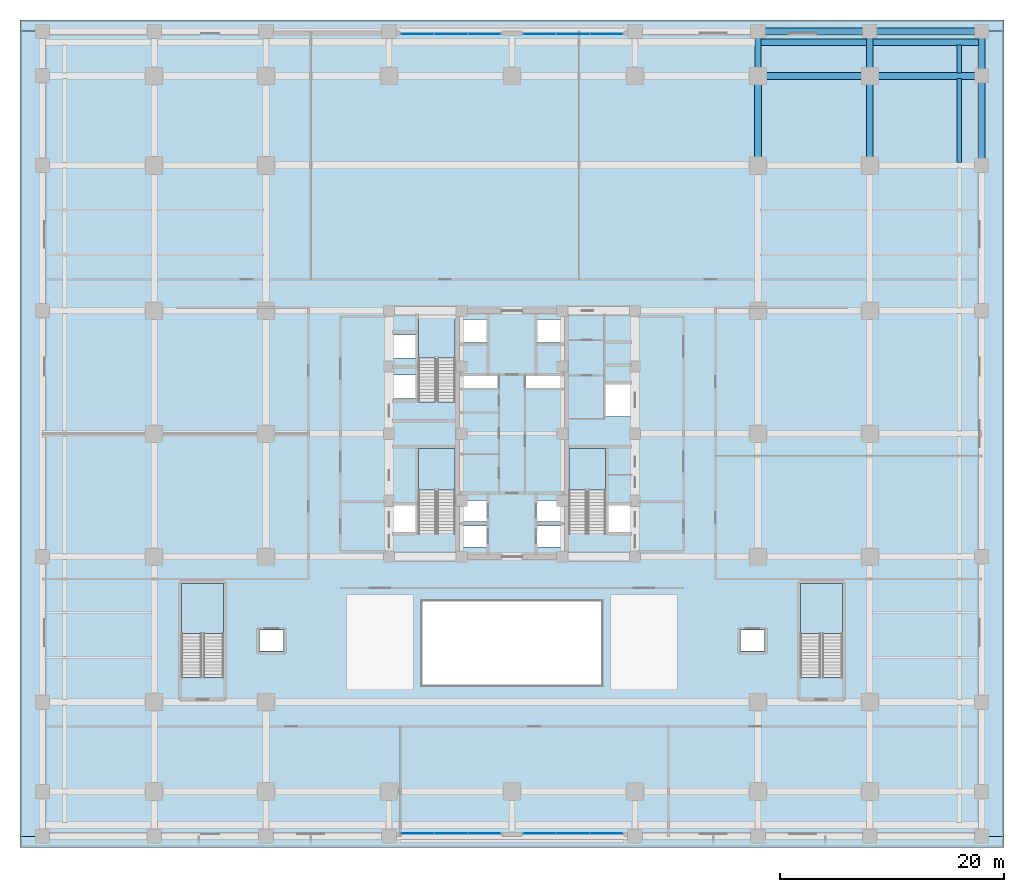
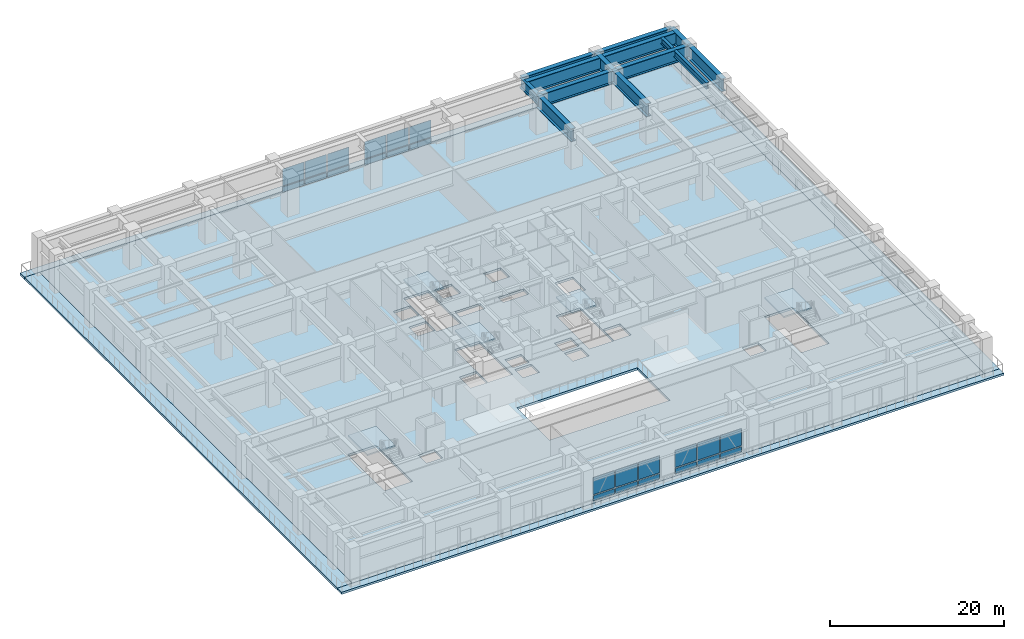
# One storey, part 14 of 28: 24 plates, 14 beams, 10 slabs, 9 elements without a shape of their own.
"""IFC4 building model written with IfcOpenShell, lengths in metres."""

from ifc_helpers import new_model, si_unit, direction, frame, origin, origin_2d, place, context, subcontext, project, spatial, polyline, rectangle, i_section, outline, extrude, source, transform, mapped, material, layer, layer_set, material_profile, profile_set, type_object, element, aggregate, save


model = new_model("IFC4")

# Units and contexts
model_context = context("Model", 3, precision=1e-05, world=origin(), true_north=direction((0.0, 1.0)))
body_context = subcontext(model_context, "Body", "Model", "MODEL_VIEW")
ifc_project = project(units=[si_unit("LENGTHUNIT", "METRE"), si_unit("AREAUNIT", "SQUARE_METRE"), si_unit("VOLUMEUNIT", "CUBIC_METRE"), si_unit("PLANEANGLEUNIT", "RADIAN"), si_unit("MASSUNIT", "GRAM", prefix="KILO")], contexts=[model_context])

# Site, building, storey
site_placement = place(None, origin())
site = spatial("IfcSite", under=ifc_project, at=site_placement, CompositionType="ELEMENT")
building_placement = place(site_placement, origin())
building = spatial("IfcBuilding", under=site, at=building_placement, Name="Khorayat Bourse Tower", CompositionType="ELEMENT")
storey_placement = place(building_placement, frame((0.0, 0.0, 12.0)))
storey = spatial("IfcBuildingStorey", under=building, at=storey_placement, Name="L02", CompositionType="ELEMENT", Elevation=12.0)

# Beams
ifc_material_1 = material(Name="Steel EN 10025-4 S460M", Category="steel")
ifc_material_profile_1 = material_profile(ifc_material_1, i_section(OverallWidth=0.60009765625, OverallDepth=1.800048828125, WebThickness=0.031982421875, FlangeThickness=0.06005859375, at=origin_2d()), Name="PG 1800x600x32x60")
ifc_profile_set_1 = profile_set([ifc_material_profile_1], Name="Steel EN 10025-4 S460M")
beam_type_1 = type_object("IfcBeamType", Name="BM-TR-1800", PredefinedType="BEAM", material=ifc_profile_set_1)
shared_shape_1 = source(origin(), body_context, "Body", "SweptSolid", [
    extrude(i_section(OverallWidth=0.60009765625, OverallDepth=1.800048828125, WebThickness=0.031982421875, FlangeThickness=0.06005859375, at=origin_2d()), origin(), (0.0, 0.0, 1.0), 10.0),
])
for number, where, z_axis, x_axis, name in (
    (1, (22.0, 32.0, 4.179931640625), (1.0, 0.0, 0.0), (0.0, 1.0, 0.0), "L02 BM-TR-1800 BM-L02-PGX-084"),
    (2, (32.0, 32.0, 4.179931640625), (1.0, 0.0, 0.0), (0.0, 1.0, 0.0), "L02 BM-TR-1800 BM-L02-PGX-085"),
    (3, (22.0, 35.0, 4.179931640625), (1.0, 0.0, 0.0), (0.0, 1.0, 0.0), "L02 BM-TR-1800 BM-L02-PGX-089"),
    (4, (32.0, 35.0, 4.179931640625), (1.0, 0.0, 0.0), (0.0, 1.0, 0.0), "L02 BM-TR-1800 BM-L02-PGX-090"),
    (5, (22.0, 36.0, 4.179931640625), (1.0, 0.0, 0.0), (0.0, 1.0, 0.0), "L02 BM-TR-1800 BM-L02-PGX-096"),
    (6, (32.0, 36.0, 4.179931640625), (1.0, 0.0, 0.0), (0.0, 1.0, 0.0), "L02 BM-TR-1800 BM-L02-PGX-097"),
):
    element("IfcBeam", number, at=place(storey_placement, frame(where, z_axis=z_axis, x_axis=x_axis)), inside=storey, type_object=beam_type_1, Name=name, PredefinedType="BEAM", context=body_context, shape_type="MappedRepresentation", body=[
        mapped(shared_shape_1, transform((0.0, 0.0, 0.0), scale=1.0)),
    ])
shared_shape_2 = source(origin(), body_context, "Body", "SweptSolid", [
    extrude(i_section(OverallWidth=0.60009765625, OverallDepth=1.800048828125, WebThickness=0.031982421875, FlangeThickness=0.06005859375, at=origin_2d()), origin(), (0.0, 0.0, 1.0), 8.0),
])
for number, where, z_axis, x_axis, name in (
    (7, (22.0, 24.0, 4.179931640625), (0.0, 1.0, 0.0), (-1.0, 0.0, 0.0), "L02 BM-TR-1800 BM-L02-PGY-142"),
    (8, (32.0, 24.0, 4.179931640625), (0.0, 1.0, 0.0), (-1.0, 0.0, 0.0), "L02 BM-TR-1800 BM-L02-PGY-150"),
    (9, (42.0, 24.0, 4.179931640625), (0.0, 1.0, 0.0), (-1.0, 0.0, 0.0), "L02 BM-TR-1800 BM-L02-PGY-165"),
):
    element("IfcBeam", number, at=place(storey_placement, frame(where, z_axis=z_axis, x_axis=x_axis)), inside=storey, type_object=beam_type_1, Name=name, PredefinedType="BEAM", context=body_context, shape_type="MappedRepresentation", body=[
        mapped(shared_shape_2, transform((0.0, 0.0, 0.0), scale=1.0)),
    ])
ifc_material_2 = material(Name="Steel ASTM A992 Grade 50", Category="steel")
ifc_material_profile_2 = material_profile(ifc_material_2, i_section(OverallWidth=0.39990234375, OverallDepth=0.85498046875, WebThickness=0.018310546875, FlangeThickness=0.029296875, FilletRadius=0.02001953125, at=origin_2d()), Name="W840X299")
ifc_profile_set_2 = profile_set([ifc_material_profile_2], Name="Steel ASTM A992 Grade 50")
beam_type_2 = type_object("IfcBeamType", Name="BM-GIRD-840", PredefinedType="BEAM", material=ifc_profile_set_2)
shared_shape_3 = source(origin(), body_context, "Body", "SweptSolid", [
    extrude(i_section(OverallWidth=0.39990234375, OverallDepth=0.85498046875, WebThickness=0.018310546875, FlangeThickness=0.029296875, FilletRadius=0.02001953125, at=origin_2d()), origin(), (0.0, 0.0, 1.0), 7.52001953125),
])
beam_1_placement = place(storey_placement, frame((40.0, 24.239990234375, 4.652587890625), z_axis=(0.0, 1.0, 0.0), x_axis=(-1.0, 0.0, 0.0)))
element("IfcBeam", 10, at=beam_1_placement, inside=storey, type_object=beam_type_2, Name="L02 BM-GIRD-840 BM-L02-PGY-158", PredefinedType="BEAM", context=body_context, shape_type="MappedRepresentation", body=[
    mapped(shared_shape_3, transform((0.0, 0.0, 0.0), scale=1.0)),
])
shared_shape_4 = source(origin(), body_context, "Body", "SweptSolid", [
    extrude(i_section(OverallWidth=0.60009765625, OverallDepth=1.800048828125, WebThickness=0.031982421875, FlangeThickness=0.06005859375, at=origin_2d()), origin(), (0.0, 0.0, 1.0), 4.0),
])
for number, where, z_axis, x_axis, name in (
    (11, (32.0, 32.0, 4.179931640625), (0.0, 1.0, 0.0), (-1.0, 0.0, 0.0), "L02 BM-TR-1800 BM-L02-PGY-151"),
    (12, (42.0, 32.0, 4.179931640625), (0.0, 1.0, 0.0), (-1.0, 0.0, 0.0), "L02 BM-TR-1800 BM-L02-PGY-166"),
):
    element("IfcBeam", number, at=place(storey_placement, frame(where, z_axis=z_axis, x_axis=x_axis)), inside=storey, type_object=beam_type_1, Name=name, PredefinedType="BEAM", context=body_context, shape_type="MappedRepresentation", body=[
        mapped(shared_shape_4, transform((0.0, 0.0, 0.0), scale=1.0)),
    ])
shared_shape_5 = source(origin(), body_context, "Body", "SweptSolid", [
    extrude(i_section(OverallWidth=0.39990234375, OverallDepth=0.85498046875, WebThickness=0.018310546875, FlangeThickness=0.029296875, FilletRadius=0.02001953125, at=origin_2d()), origin(), (0.0, 0.0, 1.0), 2.52001953125),
])
beam_2_placement = place(storey_placement, frame((40.0, 32.239990234375, 4.652587890625), z_axis=(0.0, 1.0, 0.0), x_axis=(-1.0, 0.0, 0.0)))
element("IfcBeam", 13, at=beam_2_placement, inside=storey, type_object=beam_type_2, Name="L02 BM-GIRD-840 BM-L02-PGY-159", PredefinedType="BEAM", context=body_context, shape_type="MappedRepresentation", body=[
    mapped(shared_shape_5, transform((0.0, 0.0, 0.0), scale=1.0)),
])
ifc_material_profile_3 = material_profile(ifc_material_1, i_section(OverallWidth=0.5, OverallDepth=1.39990234375, WebThickness=0.02490234375, FlangeThickness=0.050048828125, at=origin_2d()), Name="PG 1400x500x25x50")
ifc_profile_set_3 = profile_set([ifc_material_profile_3], Name="Steel EN 10025-4 S460M")
beam_type_3 = type_object("IfcBeamType", Name="BM-TR-1400", PredefinedType="BEAM", material=ifc_profile_set_3)
shared_shape_6 = source(origin(), body_context, "Body", "SweptSolid", [
    extrude(i_section(OverallWidth=0.5, OverallDepth=1.39990234375, WebThickness=0.02490234375, FlangeThickness=0.050048828125, at=origin_2d()), origin(), (0.0, 0.0, 1.0), 4.0),
])
beam_3_placement = place(storey_placement, frame((22.0, 32.0, 4.3798828125), z_axis=(0.0, 1.0, 0.0), x_axis=(-1.0, 0.0, 0.0)))
element("IfcBeam", 14, at=beam_3_placement, inside=storey, type_object=beam_type_3, Name="L02 BM-TR-1400 BM-L02-PGY-143", PredefinedType="BEAM", context=body_context, shape_type="MappedRepresentation", body=[
    mapped(shared_shape_6, transform((0.0, 0.0, 0.0), scale=1.0)),
])

# Stair, slab
ifc_material_3 = material(Name="Concrete C40/50", Category="concrete")
stair_type_1 = type_object("IfcStairType", Name="STR-CORE-1550", PredefinedType="HALF_TURN_STAIR", material=ifc_material_3)
stair_1_placement = place(storey_placement, origin())
stair_1 = element("IfcStair", 15, at=stair_1_placement, inside=storey, type_object=stair_type_1, Name="L02 Exit Stair ST-1", PredefinedType="HALF_TURN_STAIR")
ifc_layer_1 = layer(ifc_material_3, 0.199951171875)
ifc_layer_set_1 = layer_set([ifc_layer_1], Name="Concrete C40/50")
slab_type_1 = type_object("IfcSlabType", Name="SLB-LANDING-200", PredefinedType="LANDING", material=ifc_layer_set_1)
slab_1_placement = place(storey_placement, frame((0.0, 0.0, 2.5)))
slab_1 = element("IfcSlab", 16, at=slab_1_placement, type_object=slab_type_1, Name="ST-1 landing 1", PredefinedType="LANDING", context=body_context, shape_type="SweptSolid", body=[
    extrude(outline(polyline([(-5.10009765625, -5.030029296875), (-5.10009765625, -1.300048828125), (-8.35009765625, -1.300048828125), (-8.35009765625, -5.030029296875), (-5.10009765625, -5.030029296875)])), origin(), (0.0, 0.0, 1.0), 0.199951171875),
])
aggregate(stair_1, [slab_1])

stair_2_placement = place(storey_placement, origin())
stair_2 = element("IfcStair", 17, at=stair_2_placement, inside=storey, type_object=stair_type_1, Name="L02 Exit Stair ST-2", PredefinedType="HALF_TURN_STAIR")
slab_2_placement = place(storey_placement, frame((0.0, 0.0, 2.5)))
slab_2 = element("IfcSlab", 18, at=slab_2_placement, type_object=slab_type_1, Name="ST-2 landing 1", PredefinedType="LANDING", context=body_context, shape_type="SweptSolid", body=[
    extrude(outline(polyline([(-5.10009765625, 6.77001953125), (-5.10009765625, 10.5), (-8.35009765625, 10.5), (-8.35009765625, 6.77001953125), (-5.10009765625, 6.77001953125)])), origin(), (0.0, 0.0, 1.0), 0.199951171875),
])
aggregate(stair_2, [slab_2])

stair_3_placement = place(storey_placement, origin())
stair_3 = element("IfcStair", 19, at=stair_3_placement, inside=storey, type_object=stair_type_1, Name="L02 Exit Stair ST-3", PredefinedType="HALF_TURN_STAIR")
slab_3_placement = place(storey_placement, frame((0.0, 0.0, 2.5)))
slab_3 = element("IfcSlab", 20, at=slab_3_placement, type_object=slab_type_1, Name="ST-3 landing 1", PredefinedType="LANDING", context=body_context, shape_type="SweptSolid", body=[
    extrude(outline(polyline([(8.35009765625, -5.030029296875), (8.35009765625, -1.300048828125), (5.10009765625, -1.300048828125), (5.10009765625, -5.030029296875), (8.35009765625, -5.030029296875)])), origin(), (0.0, 0.0, 1.0), 0.199951171875),
])
aggregate(stair_3, [slab_3])

stair_type_2 = type_object("IfcStairType", Name="STR-POD-1800", PredefinedType="HALF_TURN_STAIR", material=ifc_material_3)
stair_4_placement = place(storey_placement, origin())
stair_4 = element("IfcStair", 21, at=stair_4_placement, inside=storey, type_object=stair_type_2, Name="L02 Exit Stair ST-P1", PredefinedType="HALF_TURN_STAIR")
slab_4_placement = place(storey_placement, frame((0.0, 0.0, 2.5)))
slab_4 = element("IfcSlab", 22, at=slab_4_placement, type_object=slab_type_1, Name="ST-P1 landing 1", PredefinedType="LANDING", context=body_context, shape_type="SweptSolid", body=[
    extrude(outline(polyline([(-25.800048828125, -17.8798828125), (-25.800048828125, -13.39990234375), (-29.550048828125, -13.39990234375), (-29.550048828125, -17.8798828125), (-25.800048828125, -17.8798828125)])), origin(), (0.0, 0.0, 1.0), 0.199951171875),
])
aggregate(stair_4, [slab_4])

stair_5_placement = place(storey_placement, origin())
stair_5 = element("IfcStair", 23, at=stair_5_placement, inside=storey, type_object=stair_type_2, Name="L02 Exit Stair ST-P2", PredefinedType="HALF_TURN_STAIR")
slab_5_placement = place(storey_placement, frame((0.0, 0.0, 2.5)))
slab_5 = element("IfcSlab", 24, at=slab_5_placement, type_object=slab_type_1, Name="ST-P2 landing 1", PredefinedType="LANDING", context=body_context, shape_type="SweptSolid", body=[
    extrude(outline(polyline([(29.550048828125, -17.8798828125), (29.550048828125, -13.39990234375), (25.800048828125, -13.39990234375), (25.800048828125, -17.8798828125), (29.550048828125, -17.8798828125)])), origin(), (0.0, 0.0, 1.0), 0.199951171875),
])
aggregate(stair_5, [slab_5])

# Slabs
ifc_layer_2 = layer(ifc_material_3, 0.320068359375)
ifc_layer_set_2 = layer_set([ifc_layer_2], Name="Concrete C40/50")
slab_type_2 = type_object("IfcSlabType", Name="SLB-POD-320", PredefinedType="FLOOR", material=ifc_layer_set_2)
slab_6_placement = place(storey_placement, frame((0.0, 0.0, -0.320068359375)))
element("IfcSlab", 25, at=slab_6_placement, inside=storey, type_object=slab_type_2, Name="L02 Main Floor Slab", PredefinedType="FLOOR", context=body_context, shape_type="SweptSolid", body=[
    extrude(outline(polyline([(-42.0, -36.0), (42.0, -36.0), (42.0, 36.0), (-42.0, 36.0), (-42.0, -36.0)]), holes=[polyline([(-8.35009765625, -8.945068359375), (-5.10009765625, -8.945068359375), (-5.10009765625, -1.300048828125), (-8.35009765625, -1.300048828125), (-8.35009765625, -8.945068359375)]), polyline([(-8.35009765625, 2.85498046875), (-5.10009765625, 2.85498046875), (-5.10009765625, 10.5), (-8.35009765625, 10.5), (-8.35009765625, 2.85498046875)]), polyline([(5.10009765625, -8.945068359375), (8.35009765625, -8.945068359375), (8.35009765625, -1.300048828125), (5.10009765625, -1.300048828125), (5.10009765625, -8.945068359375)]), polyline([(-29.550048828125, -21.794921875), (-25.800048828125, -21.794921875), (-25.800048828125, -13.39990234375), (-29.550048828125, -13.39990234375), (-29.550048828125, -21.794921875)]), polyline([(25.800048828125, -21.794921875), (29.550048828125, -21.794921875), (29.550048828125, -13.39990234375), (25.800048828125, -13.39990234375), (25.800048828125, -21.794921875)]), polyline([(-4.3798828125, -10.1298828125), (-2.219970703125, -10.1298828125), (-2.219970703125, -8.27001953125), (-4.3798828125, -8.27001953125), (-4.3798828125, -10.1298828125)]), polyline([(2.219970703125, -10.1298828125), (4.3798828125, -10.1298828125), (4.3798828125, -8.27001953125), (2.219970703125, -8.27001953125), (2.219970703125, -10.1298828125)]), polyline([(-4.3798828125, -7.830078125), (-2.219970703125, -7.830078125), (-2.219970703125, -5.969970703125), (-4.3798828125, -5.969970703125), (-4.3798828125, -7.830078125)]), polyline([(2.219970703125, -7.830078125), (4.3798828125, -7.830078125), (4.3798828125, -5.969970703125), (2.219970703125, -5.969970703125), (2.219970703125, -7.830078125)]), polyline([(-4.3798828125, 8.169921875), (-2.1201171875, 8.169921875), (-2.1201171875, 10.22998046875), (-4.3798828125, 10.22998046875), (-4.3798828125, 8.169921875)]), polyline([(2.1201171875, 8.169921875), (4.3798828125, 8.169921875), (4.3798828125, 10.22998046875), (2.1201171875, 10.22998046875), (2.1201171875, 8.169921875)]), polyline([(-10.679931640625, 3.169921875), (-8.419921875, 3.169921875), (-8.419921875, 5.22998046875), (-10.679931640625, 5.22998046875), (-10.679931640625, 3.169921875)]), polyline([(-10.679931640625, 6.77001953125), (-8.419921875, 6.77001953125), (-8.419921875, 8.830078125), (-10.679931640625, 8.830078125), (-10.679931640625, 6.77001953125)]), polyline([(-22.580078125, -19.429931640625), (-20.419921875, -19.429931640625), (-20.419921875, -17.570068359375), (-22.580078125, -17.570068359375), (-22.580078125, -19.429931640625)]), polyline([(20.419921875, -19.429931640625), (22.580078125, -19.429931640625), (22.580078125, -17.570068359375), (20.419921875, -17.570068359375), (20.419921875, -19.429931640625)]), polyline([(-10.679931640625, -8.929931640625), (-8.419921875, -8.929931640625), (-8.419921875, -6.3701171875), (-10.679931640625, -6.3701171875), (-10.679931640625, -8.929931640625)]), polyline([(8.419921875, -8.929931640625), (10.679931640625, -8.929931640625), (10.679931640625, -6.3701171875), (8.419921875, -6.3701171875), (8.419921875, -8.929931640625)]), polyline([(8.320068359375, 1.52001953125), (10.679931640625, 1.52001953125), (10.679931640625, 4.47998046875), (8.320068359375, 4.47998046875), (8.320068359375, 1.52001953125)]), polyline([(-4.56005859375, 4.080078125), (-1.18994140625, 4.080078125), (-1.18994140625, 5.219970703125), (-4.56005859375, 5.219970703125), (-4.56005859375, 4.080078125)]), polyline([(1.18994140625, 4.080078125), (4.56005859375, 4.080078125), (4.56005859375, 5.219970703125), (1.18994140625, 5.219970703125), (1.18994140625, 4.080078125)]), polyline([(-8.0, -22.5), (8.0, -22.5), (8.0, -15.0), (-8.0, -15.0), (-8.0, -22.5)])]), origin(), (0.0, 0.0, 1.0), 0.320068359375),
])
ifc_layer_3 = layer(ifc_material_3, 0.300048828125)
ifc_layer_set_3 = layer_set([ifc_layer_3], Name="Concrete C40/50")
slab_type_3 = type_object("IfcSlabType", Name="SLB-TERR-300", PredefinedType="FLOOR", material=ifc_layer_set_3)
slab_7_placement = place(storey_placement, frame((0.0, 0.0, -0.300048828125)))
element("IfcSlab", 26, at=slab_7_placement, inside=storey, type_object=slab_type_3, Name="L02 Planted Garden Terrace Slab 01", PredefinedType="FLOOR", context=body_context, shape_type="SweptSolid", body=[
    extrude(outline(polyline([(-44.0, 36.0), (44.0, 36.0), (44.0, 37.0), (-44.0, 37.0), (-44.0, 36.0)])), origin(), (0.0, 0.0, 1.0), 0.300048828125),
])
slab_8_placement = place(storey_placement, frame((0.0, 0.0, -0.300048828125)))
element("IfcSlab", 27, at=slab_8_placement, inside=storey, type_object=slab_type_3, Name="L02 Planted Garden Terrace Slab 02", PredefinedType="FLOOR", context=body_context, shape_type="SweptSolid", body=[
    extrude(outline(polyline([(-44.0, -37.0), (44.0, -37.0), (44.0, -36.0), (-44.0, -36.0), (-44.0, -37.0)])), origin(), (0.0, 0.0, 1.0), 0.300048828125),
])
slab_9_placement = place(storey_placement, frame((0.0, 0.0, -0.300048828125)))
element("IfcSlab", 28, at=slab_9_placement, inside=storey, type_object=slab_type_3, Name="L02 Planted Garden Terrace Slab 03", PredefinedType="FLOOR", context=body_context, shape_type="SweptSolid", body=[
    extrude(outline(polyline([(-44.0, -36.0), (-42.0, -36.0), (-42.0, 36.0), (-44.0, 36.0), (-44.0, -36.0)])), origin(), (0.0, 0.0, 1.0), 0.300048828125),
])
slab_10_placement = place(storey_placement, frame((0.0, 0.0, -0.300048828125)))
element("IfcSlab", 29, at=slab_10_placement, inside=storey, type_object=slab_type_3, Name="L02 Planted Garden Terrace Slab 04", PredefinedType="FLOOR", context=body_context, shape_type="SweptSolid", body=[
    extrude(outline(polyline([(42.0, -36.0), (44.0, -36.0), (44.0, 36.0), (42.0, 36.0), (42.0, -36.0)])), origin(), (0.0, 0.0, 1.0), 0.300048828125),
])

# Curtain wall, plates
ifc_material_4 = material(Name="Aluminium EN AW-6063 T6", Category="aluminium")
curtain_wall_type = type_object("IfcCurtainWallType", Name="CW-SYS-01", PredefinedType="NOTDEFINED", material=ifc_material_4)
curtain_wall_1_placement = place(storey_placement, origin())
curtain_wall_1 = element("IfcCurtainWall", 30, at=curtain_wall_1_placement, inside=storey, type_object=curtain_wall_type, Name="L02 Curtain Wall CW-L02-SW", PredefinedType="NOTDEFINED")
ifc_material_5 = material(Name="Honed desert limestone insulated spandrel", Category="masonry")
ifc_layer_4 = layer(ifc_material_5, 0.06494140625)
ifc_layer_set_4 = layer_set([ifc_layer_4], Name="Honed desert limestone insulated spandrel")
plate_type_1 = type_object("IfcPlateType", Name="CWP-SPAND-03", PredefinedType="CURTAIN_PANEL", material=ifc_layer_set_4)
shared_shape_7 = source(origin(), body_context, "Body", "SweptSolid", [
    extrude(rectangle(XDim=2.8232421875, YDim=0.06494140625, at=origin_2d()), origin(), (0.0, 0.0, 1.0), 0.739990234375),
])
plate_1_placement = place(storey_placement, frame((-8.4482421875, -35.742919921875, 0.14013671875), z_axis=(0.0, 0.0, 1.0), x_axis=(1.0, 0.0, 0.0)))
plate_1 = element("IfcPlate", 31, at=plate_1_placement, type_object=plate_type_1, Name="CW-L02-SW Spandrel Panel 1-1", PredefinedType="CURTAIN_PANEL", context=body_context, shape_type="MappedRepresentation", body=[
    mapped(shared_shape_7, transform((0.0, 0.0, 0.0), scale=1.0)),
])
plate_2_placement = place(storey_placement, frame((-2.45166015625, -35.742919921875, 0.14013671875), z_axis=(0.0, 0.0, 1.0), x_axis=(1.0, 0.0, 0.0)))
plate_2 = element("IfcPlate", 32, at=plate_2_placement, type_object=plate_type_1, Name="CW-L02-SW Spandrel Panel 3-1", PredefinedType="CURTAIN_PANEL", context=body_context, shape_type="MappedRepresentation", body=[
    mapped(shared_shape_7, transform((0.0, 0.0, 0.0), scale=1.0)),
])

curtain_wall_2_placement = place(storey_placement, origin())
curtain_wall_2 = element("IfcCurtainWall", 33, at=curtain_wall_2_placement, inside=storey, type_object=curtain_wall_type, Name="L02 Curtain Wall CW-L02-SE", PredefinedType="NOTDEFINED")
plate_3_placement = place(storey_placement, frame((2.45166015625, -35.742919921875, 0.14013671875), z_axis=(0.0, 0.0, 1.0), x_axis=(1.0, 0.0, 0.0)))
plate_3 = element("IfcPlate", 34, at=plate_3_placement, type_object=plate_type_1, Name="CW-L02-SE Spandrel Panel 1-1", PredefinedType="CURTAIN_PANEL", context=body_context, shape_type="MappedRepresentation", body=[
    mapped(shared_shape_7, transform((0.0, 0.0, 0.0), scale=1.0)),
])
plate_4_placement = place(storey_placement, frame((8.4482421875, -35.742919921875, 0.14013671875), z_axis=(0.0, 0.0, 1.0), x_axis=(1.0, 0.0, 0.0)))
plate_4 = element("IfcPlate", 35, at=plate_4_placement, type_object=plate_type_1, Name="CW-L02-SE Spandrel Panel 3-1", PredefinedType="CURTAIN_PANEL", context=body_context, shape_type="MappedRepresentation", body=[
    mapped(shared_shape_7, transform((0.0, 0.0, 0.0), scale=1.0)),
])

curtain_wall_3_placement = place(storey_placement, origin())
curtain_wall_3 = element("IfcCurtainWall", 36, at=curtain_wall_3_placement, inside=storey, type_object=curtain_wall_type, Name="L02 Curtain Wall CW-L02-NW", PredefinedType="NOTDEFINED")
plate_5_placement = place(storey_placement, frame((-2.45166015625, 35.742919921875, 0.14013671875), z_axis=(0.0, 0.0, 1.0), x_axis=(-1.0, 0.0, 0.0)))
plate_5 = element("IfcPlate", 37, at=plate_5_placement, type_object=plate_type_1, Name="CW-L02-NW Spandrel Panel 1-1", PredefinedType="CURTAIN_PANEL", context=body_context, shape_type="MappedRepresentation", body=[
    mapped(shared_shape_7, transform((0.0, 0.0, 0.0), scale=1.0)),
])
plate_6_placement = place(storey_placement, frame((-8.4482421875, 35.742919921875, 0.14013671875), z_axis=(0.0, 0.0, 1.0), x_axis=(-1.0, 0.0, 0.0)))
plate_6 = element("IfcPlate", 38, at=plate_6_placement, type_object=plate_type_1, Name="CW-L02-NW Spandrel Panel 3-1", PredefinedType="CURTAIN_PANEL", context=body_context, shape_type="MappedRepresentation", body=[
    mapped(shared_shape_7, transform((0.0, 0.0, 0.0), scale=1.0)),
])

curtain_wall_4_placement = place(storey_placement, origin())
curtain_wall_4 = element("IfcCurtainWall", 39, at=curtain_wall_4_placement, inside=storey, type_object=curtain_wall_type, Name="L02 Curtain Wall CW-L02-NE", PredefinedType="NOTDEFINED")
plate_7_placement = place(storey_placement, frame((8.4482421875, 35.742919921875, 0.14013671875), z_axis=(0.0, 0.0, 1.0), x_axis=(-1.0, 0.0, 0.0)))
plate_7 = element("IfcPlate", 40, at=plate_7_placement, type_object=plate_type_1, Name="CW-L02-NE Spandrel Panel 1-1", PredefinedType="CURTAIN_PANEL", context=body_context, shape_type="MappedRepresentation", body=[
    mapped(shared_shape_7, transform((0.0, 0.0, 0.0), scale=1.0)),
])
plate_8_placement = place(storey_placement, frame((2.45166015625, 35.742919921875, 0.14013671875), z_axis=(0.0, 0.0, 1.0), x_axis=(-1.0, 0.0, 0.0)))
plate_8 = element("IfcPlate", 41, at=plate_8_placement, type_object=plate_type_1, Name="CW-L02-NE Spandrel Panel 3-1", PredefinedType="CURTAIN_PANEL", context=body_context, shape_type="MappedRepresentation", body=[
    mapped(shared_shape_7, transform((0.0, 0.0, 0.0), scale=1.0)),
])

# Plate
ifc_material_6 = material(Name="Low-E solar-control laminated double glazing", Category="glass")
ifc_layer_5 = layer(ifc_material_6, 0.035888671875)
ifc_layer_set_5 = layer_set([ifc_layer_5], Name="Low-E solar-control laminated double glazing")
plate_type_2 = type_object("IfcPlateType", Name="CWP-VIS-01", PredefinedType="CURTAIN_PANEL", material=ifc_layer_set_5)
shared_shape_8 = source(origin(), body_context, "Body", "SweptSolid", [
    extrude(rectangle(XDim=2.8232421875, YDim=0.035888671875, at=origin_2d()), origin(), (0.0, 0.0, 1.0), 2.389892578125),
])
plate_9_placement = place(storey_placement, frame((-8.4482421875, -35.742919921875, 1.02001953125), z_axis=(0.0, 0.0, 1.0), x_axis=(1.0, 0.0, 0.0)))
plate_9 = element("IfcPlate", 42, at=plate_9_placement, type_object=plate_type_2, Name="CW-L02-SW Vision Panel 1-2", PredefinedType="CURTAIN_PANEL", context=body_context, shape_type="MappedRepresentation", body=[
    mapped(shared_shape_8, transform((0.0, 0.0, 0.0), scale=1.0)),
])

plate_10_placement = place(storey_placement, frame((-2.45166015625, -35.742919921875, 1.02001953125), z_axis=(0.0, 0.0, 1.0), x_axis=(1.0, 0.0, 0.0)))
plate_10 = element("IfcPlate", 43, at=plate_10_placement, type_object=plate_type_2, Name="CW-L02-SW Vision Panel 3-2", PredefinedType="CURTAIN_PANEL", context=body_context, shape_type="MappedRepresentation", body=[
    mapped(shared_shape_8, transform((0.0, 0.0, 0.0), scale=1.0)),
])

plate_11_placement = place(storey_placement, frame((2.45166015625, -35.742919921875, 1.02001953125), z_axis=(0.0, 0.0, 1.0), x_axis=(1.0, 0.0, 0.0)))
plate_11 = element("IfcPlate", 44, at=plate_11_placement, type_object=plate_type_2, Name="CW-L02-SE Vision Panel 1-2", PredefinedType="CURTAIN_PANEL", context=body_context, shape_type="MappedRepresentation", body=[
    mapped(shared_shape_8, transform((0.0, 0.0, 0.0), scale=1.0)),
])

plate_12_placement = place(storey_placement, frame((8.4482421875, -35.742919921875, 1.02001953125), z_axis=(0.0, 0.0, 1.0), x_axis=(1.0, 0.0, 0.0)))
plate_12 = element("IfcPlate", 45, at=plate_12_placement, type_object=plate_type_2, Name="CW-L02-SE Vision Panel 3-2", PredefinedType="CURTAIN_PANEL", context=body_context, shape_type="MappedRepresentation", body=[
    mapped(shared_shape_8, transform((0.0, 0.0, 0.0), scale=1.0)),
])

plate_13_placement = place(storey_placement, frame((-2.45166015625, 35.742919921875, 1.02001953125), z_axis=(0.0, 0.0, 1.0), x_axis=(-1.0, 0.0, 0.0)))
plate_13 = element("IfcPlate", 46, at=plate_13_placement, type_object=plate_type_2, Name="CW-L02-NW Vision Panel 1-2", PredefinedType="CURTAIN_PANEL", context=body_context, shape_type="MappedRepresentation", body=[
    mapped(shared_shape_8, transform((0.0, 0.0, 0.0), scale=1.0)),
])

plate_14_placement = place(storey_placement, frame((-8.4482421875, 35.742919921875, 1.02001953125), z_axis=(0.0, 0.0, 1.0), x_axis=(-1.0, 0.0, 0.0)))
plate_14 = element("IfcPlate", 47, at=plate_14_placement, type_object=plate_type_2, Name="CW-L02-NW Vision Panel 3-2", PredefinedType="CURTAIN_PANEL", context=body_context, shape_type="MappedRepresentation", body=[
    mapped(shared_shape_8, transform((0.0, 0.0, 0.0), scale=1.0)),
])

plate_15_placement = place(storey_placement, frame((8.4482421875, 35.742919921875, 1.02001953125), z_axis=(0.0, 0.0, 1.0), x_axis=(-1.0, 0.0, 0.0)))
plate_15 = element("IfcPlate", 48, at=plate_15_placement, type_object=plate_type_2, Name="CW-L02-NE Vision Panel 1-2", PredefinedType="CURTAIN_PANEL", context=body_context, shape_type="MappedRepresentation", body=[
    mapped(shared_shape_8, transform((0.0, 0.0, 0.0), scale=1.0)),
])

plate_16_placement = place(storey_placement, frame((2.45166015625, 35.742919921875, 1.02001953125), z_axis=(0.0, 0.0, 1.0), x_axis=(-1.0, 0.0, 0.0)))
plate_16 = element("IfcPlate", 49, at=plate_16_placement, type_object=plate_type_2, Name="CW-L02-NE Vision Panel 3-2", PredefinedType="CURTAIN_PANEL", context=body_context, shape_type="MappedRepresentation", body=[
    mapped(shared_shape_8, transform((0.0, 0.0, 0.0), scale=1.0)),
])

shared_shape_9 = source(origin(), body_context, "Body", "SweptSolid", [
    extrude(rectangle(XDim=2.893310546875, YDim=0.06494140625, at=origin_2d()), origin(), (0.0, 0.0, 1.0), 0.739990234375),
])
plate_17_placement = place(storey_placement, frame((-5.449951171875, -35.742919921875, 0.14013671875), z_axis=(0.0, 0.0, 1.0), x_axis=(1.0, 0.0, 0.0)))
plate_17 = element("IfcPlate", 50, at=plate_17_placement, type_object=plate_type_1, Name="CW-L02-SW Spandrel Panel 2-1", PredefinedType="CURTAIN_PANEL", context=body_context, shape_type="MappedRepresentation", body=[
    mapped(shared_shape_9, transform((0.0, 0.0, 0.0), scale=1.0)),
])

plate_18_placement = place(storey_placement, frame((5.449951171875, -35.742919921875, 0.14013671875), z_axis=(0.0, 0.0, 1.0), x_axis=(1.0, 0.0, 0.0)))
plate_18 = element("IfcPlate", 51, at=plate_18_placement, type_object=plate_type_1, Name="CW-L02-SE Spandrel Panel 2-1", PredefinedType="CURTAIN_PANEL", context=body_context, shape_type="MappedRepresentation", body=[
    mapped(shared_shape_9, transform((0.0, 0.0, 0.0), scale=1.0)),
])

plate_19_placement = place(storey_placement, frame((-5.449951171875, 35.742919921875, 0.14013671875), z_axis=(0.0, 0.0, 1.0), x_axis=(-1.0, 0.0, 0.0)))
plate_19 = element("IfcPlate", 52, at=plate_19_placement, type_object=plate_type_1, Name="CW-L02-NW Spandrel Panel 2-1", PredefinedType="CURTAIN_PANEL", context=body_context, shape_type="MappedRepresentation", body=[
    mapped(shared_shape_9, transform((0.0, 0.0, 0.0), scale=1.0)),
])

plate_20_placement = place(storey_placement, frame((5.449951171875, 35.742919921875, 0.14013671875), z_axis=(0.0, 0.0, 1.0), x_axis=(-1.0, 0.0, 0.0)))
plate_20 = element("IfcPlate", 53, at=plate_20_placement, type_object=plate_type_1, Name="CW-L02-NE Spandrel Panel 2-1", PredefinedType="CURTAIN_PANEL", context=body_context, shape_type="MappedRepresentation", body=[
    mapped(shared_shape_9, transform((0.0, 0.0, 0.0), scale=1.0)),
])

shared_shape_10 = source(origin(), body_context, "Body", "SweptSolid", [
    extrude(rectangle(XDim=2.893310546875, YDim=0.035888671875, at=origin_2d()), origin(), (0.0, 0.0, 1.0), 2.389892578125),
])
plate_21_placement = place(storey_placement, frame((-5.449951171875, -35.742919921875, 1.02001953125), z_axis=(0.0, 0.0, 1.0), x_axis=(1.0, 0.0, 0.0)))
plate_21 = element("IfcPlate", 54, at=plate_21_placement, type_object=plate_type_2, Name="CW-L02-SW Vision Panel 2-2", PredefinedType="CURTAIN_PANEL", context=body_context, shape_type="MappedRepresentation", body=[
    mapped(shared_shape_10, transform((0.0, 0.0, 0.0), scale=1.0)),
])

aggregate(curtain_wall_1, [plate_1, plate_9, plate_17, plate_21, plate_2, plate_10])

plate_22_placement = place(storey_placement, frame((5.449951171875, -35.742919921875, 1.02001953125), z_axis=(0.0, 0.0, 1.0), x_axis=(1.0, 0.0, 0.0)))
plate_22 = element("IfcPlate", 55, at=plate_22_placement, type_object=plate_type_2, Name="CW-L02-SE Vision Panel 2-2", PredefinedType="CURTAIN_PANEL", context=body_context, shape_type="MappedRepresentation", body=[
    mapped(shared_shape_10, transform((0.0, 0.0, 0.0), scale=1.0)),
])

aggregate(curtain_wall_2, [plate_3, plate_11, plate_18, plate_22, plate_4, plate_12])

plate_23_placement = place(storey_placement, frame((-5.449951171875, 35.742919921875, 1.02001953125), z_axis=(0.0, 0.0, 1.0), x_axis=(-1.0, 0.0, 0.0)))
plate_23 = element("IfcPlate", 56, at=plate_23_placement, type_object=plate_type_2, Name="CW-L02-NW Vision Panel 2-2", PredefinedType="CURTAIN_PANEL", context=body_context, shape_type="MappedRepresentation", body=[
    mapped(shared_shape_10, transform((0.0, 0.0, 0.0), scale=1.0)),
])

aggregate(curtain_wall_3, [plate_5, plate_13, plate_19, plate_23, plate_6, plate_14])

plate_24_placement = place(storey_placement, frame((5.449951171875, 35.742919921875, 1.02001953125), z_axis=(0.0, 0.0, 1.0), x_axis=(-1.0, 0.0, 0.0)))
plate_24 = element("IfcPlate", 57, at=plate_24_placement, type_object=plate_type_2, Name="CW-L02-NE Vision Panel 2-2", PredefinedType="CURTAIN_PANEL", context=body_context, shape_type="MappedRepresentation", body=[
    mapped(shared_shape_10, transform((0.0, 0.0, 0.0), scale=1.0)),
])

aggregate(curtain_wall_4, [plate_7, plate_15, plate_20, plate_24, plate_8, plate_16])

save(model, "model.ifc")
